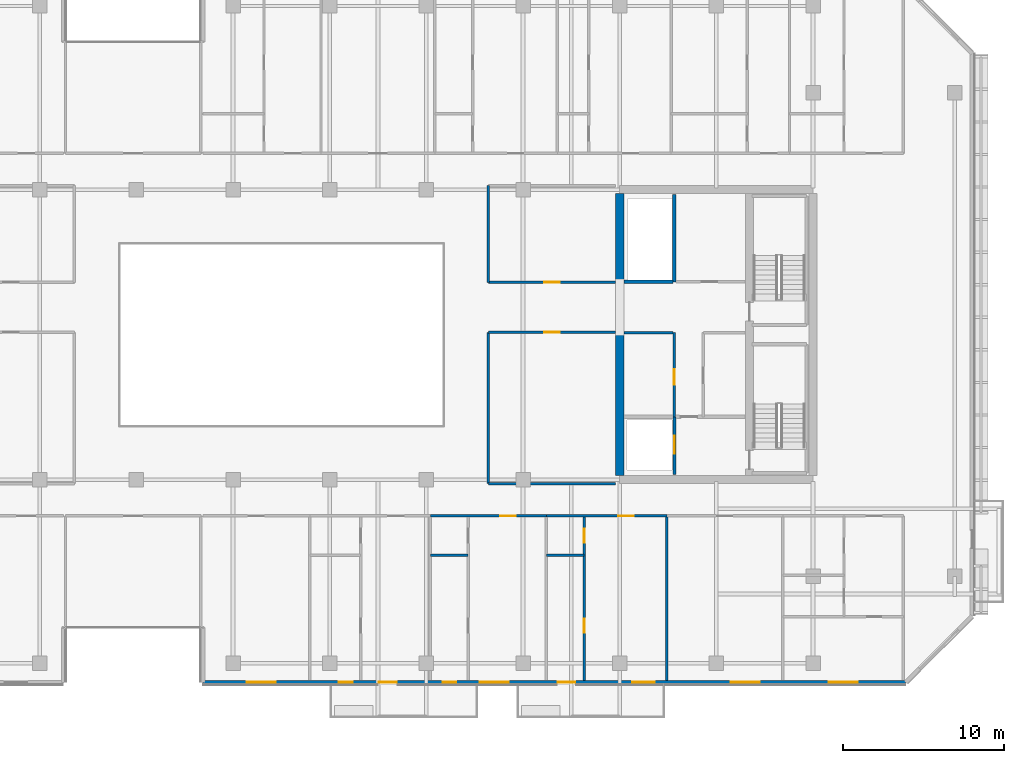
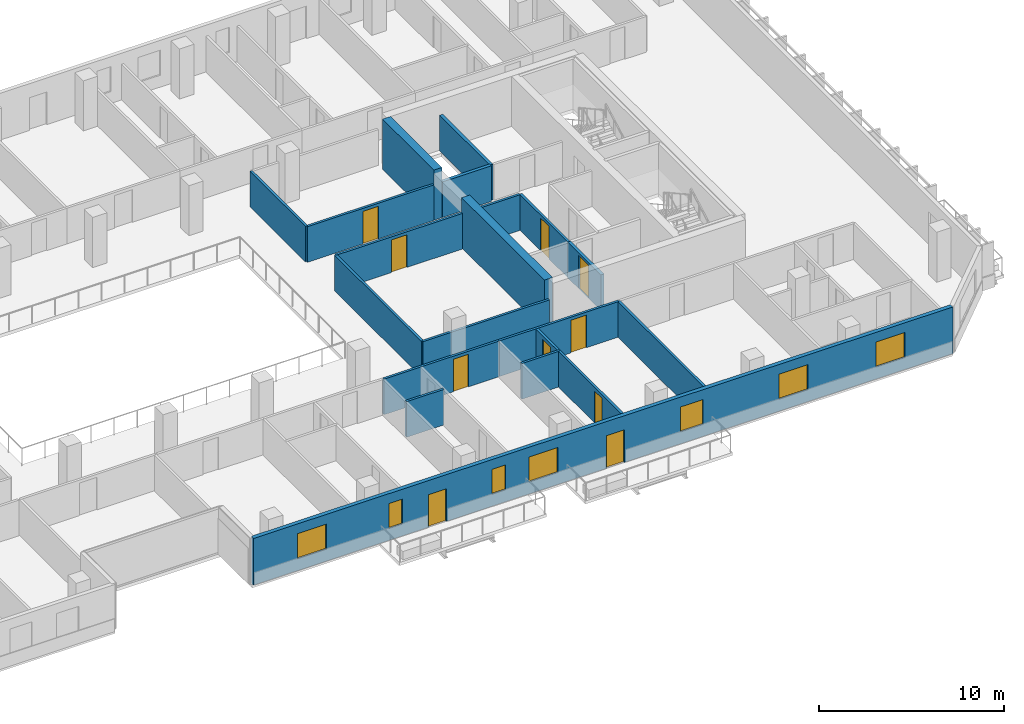
# One storey, part 11 of 19: 19 walls, 10 doors, 7 windows, 17 openings.
"""IFC4 building model written with IfcOpenShell, lengths in metres."""

from ifc_helpers import new_model, si_unit, direction, frame, frame_2d, origin, place, context, subcontext, project, spatial, rectangle, extrude, material, layer, layer_set, type_object, element, fill, save


model = new_model("IFC4")

# Units and contexts
model_context = context("Model", 3, precision=1e-05, world=origin(), true_north=direction((0.0, 1.0)))
body_context = subcontext(model_context, "Body", "Model", "MODEL_VIEW")
ifc_project = project(units=[si_unit("LENGTHUNIT", "METRE"), si_unit("AREAUNIT", "SQUARE_METRE"), si_unit("VOLUMEUNIT", "CUBIC_METRE"), si_unit("PLANEANGLEUNIT", "RADIAN"), si_unit("MASSUNIT", "GRAM", prefix="KILO")], contexts=[model_context])

# Site, building, storey
site_placement = place(None, origin())
site = spatial("IfcSite", under=ifc_project, at=site_placement, CompositionType="ELEMENT")
building_placement = place(site_placement, origin())
building = spatial("IfcBuilding", under=site, at=building_placement, Name="Tanjung Sevakor Pilgrim Tower", CompositionType="ELEMENT")
storey_placement = place(building_placement, frame((0.0, 0.0, 135.300048828125)))
storey = spatial("IfcBuildingStorey", under=building, at=storey_placement, Name="L37", CompositionType="ELEMENT", Elevation=135.300048828125)

# Walls
ifc_material_1 = material(Name="Concrete C60/75", Category="concrete")
ifc_layer_1 = layer(ifc_material_1, 0.5)
ifc_layer_set_1 = layer_set([ifc_layer_1], Name="WALL-CW-500")
wall_type_1 = type_object("IfcWallType", Name="WALL-CW-500", PredefinedType="SHEAR", material=ifc_layer_set_1)
wall_1_placement = place(storey_placement, frame((78.0, 24.85009765625, 0.0), z_axis=(0.0, 0.0, 1.0), x_axis=(0.0, 1.0, 0.0)))
element("IfcWall", 1, at=wall_1_placement, inside=storey, type_object=wall_type_1, Name="L37 E Core Inner Shear Wall South", PredefinedType="SHEAR", context=body_context, shape_type="SweptSolid", body=[
    extrude(rectangle(XDim=8.949951171875, YDim=0.5, at=frame_2d((4.47509765625, 0.0))), origin(), (0.0, 0.0, 1.0), 3.300048828125),
])
wall_2_placement = place(storey_placement, frame((78.0, 36.800048828125, 0.0), z_axis=(0.0, 0.0, 1.0), x_axis=(0.0, 1.0, 0.0)))
element("IfcWall", 2, at=wall_2_placement, inside=storey, type_object=wall_type_1, Name="L37 E Core Inner Shear Wall North", PredefinedType="SHEAR", context=body_context, shape_type="SweptSolid", body=[
    extrude(rectangle(XDim=5.550048828125, YDim=0.5, at=frame_2d((2.77490234375, 0.0))), origin(), (0.0, 0.0, 1.0), 3.300048828125),
])
ifc_material_2 = material(Name="Concrete C40/50", Category="concrete")
ifc_layer_2 = layer(ifc_material_2, 0.14990234375)
ifc_layer_set_2 = layer_set([ifc_layer_2], Name="WT-COMP-150")
wall_type_2 = type_object("IfcWallType", Name="WT-COMP-150", PredefinedType="SOLIDWALL", material=ifc_layer_set_2)
wall_3_placement = place(storey_placement, frame((78.27001953125, 33.719970703125, 0.0), z_axis=(0.0, 0.0, 1.0), x_axis=(1.0, 0.0, 0.0)))
element("IfcWall", 3, at=wall_3_placement, inside=storey, type_object=wall_type_2, Name="L37 Partition IW-L37-014", PredefinedType="SOLIDWALL", context=body_context, shape_type="SweptSolid", body=[
    extrude(rectangle(XDim=3.050048828125, YDim=0.14990234375, at=frame_2d((1.52490234375, 0.0))), origin(), (0.0, 0.0, 1.0), 2.35009765625),
])

# Wall, opening, door
wall_4_placement = place(storey_placement, frame((81.3798828125, 28.5, 0.0), z_axis=(0.0, 0.0, 1.0), x_axis=(0.0, 1.0, 0.0)))
wall_4 = element("IfcWall", 4, at=wall_4_placement, inside=storey, type_object=wall_type_2, Name="L37 Partition IW-L37-015", PredefinedType="SOLIDWALL", context=body_context, shape_type="SweptSolid", body=[
    extrude(rectangle(XDim=5.219970703125, YDim=0.14990234375, at=frame_2d((2.60986328125, 0.0))), origin(), (0.0, 0.0, 1.0), 2.35009765625),
])
opening_1_placement = place(wall_4_placement, frame((2.0, 0.0, 0.0)))
opening_1 = element("IfcOpeningElement", 5, at=opening_1_placement, cuts=wall_4, Name="Opening ID-FD2", PredefinedType="OPENING", context=body_context, shape_type="SweptSolid", body=[
    extrude(rectangle(XDim=0.949951171875, YDim=2.14990234375, at=frame_2d((0.47509765625, 1.074951171875))), frame((0.0, 0.0849609375, 0.0), z_axis=(0.0, -1.0, 0.0), x_axis=(1.0, 0.0, 0.0)), (0.0, 0.0, 1.0), 0.169921875),
])
ifc_material_3 = material(Name="Fire-Rated Timber", Category="wood")
door_type_1 = type_object("IfcDoorType", Name="DT-FIRE-950", OperationType="NOTDEFINED", PredefinedType="DOOR", material=ifc_material_3)
door_1_placement = place(opening_1_placement, origin())
door_1 = element("IfcDoor", 6, at=door_1_placement, inside=storey, type_object=door_type_1, Name="L37 Accessible WC Door", OperationType="SINGLE_SWING_RIGHT", OverallHeight=2.14990234375, OverallWidth=0.949951171875, PredefinedType="DOOR", context=body_context, shape_type="SweptSolid", body=[
    extrude(rectangle(XDim=0.949951171875, YDim=2.14990234375, at=frame_2d((0.47509765625, 1.074951171875))), frame((0.0, 0.02490234375, 0.0), z_axis=(0.0, -1.0, 0.0), x_axis=(1.0, 0.0, 0.0)), (0.0, 0.0, 1.0), 0.050048828125),
])
fill(opening_1, door_1)

# Wall
wall_5_placement = place(storey_placement, frame((69.85009765625, 24.35009765625, 0.0), z_axis=(0.0, 0.0, 1.0), x_axis=(1.0, 0.0, 0.0)))
element("IfcWall", 7, at=wall_5_placement, inside=storey, type_object=wall_type_2, Name="L37 Partition IW-L37-025", PredefinedType="SOLIDWALL", context=body_context, shape_type="SweptSolid", body=[
    extrude(rectangle(XDim=7.8798828125, YDim=0.14990234375, at=frame_2d((3.93994140625, 0.0))), origin(), (0.0, 0.0, 1.0), 2.35009765625),
])

# Wall, opening, door
wall_6_placement = place(storey_placement, frame((69.85009765625, 33.75, 0.0), z_axis=(0.0, 0.0, 1.0), x_axis=(1.0, 0.0, 0.0)))
wall_6 = element("IfcWall", 8, at=wall_6_placement, inside=storey, type_object=wall_type_2, Name="L37 Partition IW-L37-026", PredefinedType="SOLIDWALL", context=body_context, shape_type="SweptSolid", body=[
    extrude(rectangle(XDim=7.8798828125, YDim=0.14990234375, at=frame_2d((3.93994140625, 0.0))), origin(), (0.0, 0.0, 1.0), 2.35009765625),
])
opening_2_placement = place(wall_6_placement, frame((3.465087890625, 0.0, 0.0)))
opening_2 = element("IfcOpeningElement", 9, at=opening_2_placement, cuts=wall_6, Name="Opening ID-RM1", PredefinedType="OPENING", context=body_context, shape_type="SweptSolid", body=[
    extrude(rectangle(XDim=0.949951171875, YDim=2.14990234375, at=frame_2d((0.47509765625, 1.074951171875))), frame((0.0, 0.0849609375, 0.0), z_axis=(0.0, -1.0, 0.0), x_axis=(1.0, 0.0, 0.0)), (0.0, 0.0, 1.0), 0.169921875),
])
ifc_material_4 = material(Name="Hardwood Timber", Category="wood")
door_type_2 = type_object("IfcDoorType", Name="DT-INT-950", OperationType="NOTDEFINED", PredefinedType="DOOR", material=ifc_material_4)
door_2_placement = place(opening_2_placement, origin())
door_2 = element("IfcDoor", 10, at=door_2_placement, inside=storey, type_object=door_type_2, Name="L37 East Inboard South Door", OperationType="SINGLE_SWING_RIGHT", OverallHeight=2.14990234375, OverallWidth=0.949951171875, PredefinedType="DOOR", context=body_context, shape_type="SweptSolid", body=[
    extrude(rectangle(XDim=0.949951171875, YDim=2.14990234375, at=frame_2d((0.47509765625, 1.074951171875))), frame((0.0, 0.02490234375, 0.0), z_axis=(0.0, -1.0, 0.0), x_axis=(1.0, 0.0, 0.0)), (0.0, 0.0, 1.0), 0.050048828125),
])
fill(opening_2, door_2)

# Wall
wall_7_placement = place(storey_placement, frame((69.85009765625, 24.35009765625, 0.0), z_axis=(0.0, 0.0, 1.0), x_axis=(0.0, 1.0, 0.0)))
element("IfcWall", 11, at=wall_7_placement, inside=storey, type_object=wall_type_2, Name="L37 Partition IW-L37-027", PredefinedType="SOLIDWALL", context=body_context, shape_type="SweptSolid", body=[
    extrude(rectangle(XDim=9.39990234375, YDim=0.14990234375, at=frame_2d((4.699951171875, 0.0))), origin(), (0.0, 0.0, 1.0), 2.35009765625),
])

# Wall, opening, door
wall_8_placement = place(storey_placement, frame((69.85009765625, 36.85009765625, 0.0), z_axis=(0.0, 0.0, 1.0), x_axis=(1.0, 0.0, 0.0)))
wall_8 = element("IfcWall", 12, at=wall_8_placement, inside=storey, type_object=wall_type_2, Name="L37 Partition IW-L37-028", PredefinedType="SOLIDWALL", context=body_context, shape_type="SweptSolid", body=[
    extrude(rectangle(XDim=7.8798828125, YDim=0.14990234375, at=frame_2d((3.93994140625, 0.0))), origin(), (0.0, 0.0, 1.0), 2.35009765625),
])
opening_3_placement = place(wall_8_placement, frame((3.465087890625, 0.0, 0.0)))
opening_3 = element("IfcOpeningElement", 13, at=opening_3_placement, cuts=wall_8, Name="Opening ID-RM1", PredefinedType="OPENING", context=body_context, shape_type="SweptSolid", body=[
    extrude(rectangle(XDim=0.949951171875, YDim=2.14990234375, at=frame_2d((0.47509765625, 1.074951171875))), frame((0.0, 0.0849609375, 0.0), z_axis=(0.0, -1.0, 0.0), x_axis=(1.0, 0.0, 0.0)), (0.0, 0.0, 1.0), 0.169921875),
])
door_3_placement = place(opening_3_placement, origin())
door_3 = element("IfcDoor", 14, at=door_3_placement, inside=storey, type_object=door_type_2, Name="L37 East Inboard North Door", OperationType="SINGLE_SWING_LEFT", OverallHeight=2.14990234375, OverallWidth=0.949951171875, PredefinedType="DOOR", context=body_context, shape_type="SweptSolid", body=[
    extrude(rectangle(XDim=0.949951171875, YDim=2.14990234375, at=frame_2d((0.47509765625, 1.074951171875))), frame((0.0, 0.02490234375, 0.0), z_axis=(0.0, -1.0, 0.0), x_axis=(1.0, 0.0, 0.0)), (0.0, 0.0, 1.0), 0.050048828125),
])
fill(opening_3, door_3)

# Wall
wall_9_placement = place(storey_placement, frame((69.85009765625, 36.85009765625, 0.0), z_axis=(0.0, 0.0, 1.0), x_axis=(0.0, 1.0, 0.0)))
element("IfcWall", 15, at=wall_9_placement, inside=storey, type_object=wall_type_2, Name="L37 Partition IW-L37-030", PredefinedType="SOLIDWALL", context=body_context, shape_type="SweptSolid", body=[
    extrude(rectangle(XDim=6.0, YDim=0.14990234375, at=frame_2d((3.0, 0.0))), origin(), (0.0, 0.0, 1.0), 2.35009765625),
])

# Wall, opening, door
wall_10_placement = place(storey_placement, frame((66.244140625, 22.35009765625, 0.0), z_axis=(0.0, 0.0, 1.0), x_axis=(1.0, 0.0, 0.0)))
wall_10 = element("IfcWall", 16, at=wall_10_placement, inside=storey, type_object=wall_type_2, Name="L37 Partition IW-L37-057", PredefinedType="SOLIDWALL", context=body_context, shape_type="SweptSolid", body=[
    extrude(rectangle(XDim=7.200439453125, YDim=0.14990234375, at=frame_2d((3.60009765625, 0.0))), origin(), (0.0, 0.0, 1.0), 2.35009765625),
])
opening_4_placement = place(wall_10_placement, frame((4.34033203125, 0.0, 0.0)))
opening_4 = element("IfcOpeningElement", 17, at=opening_4_placement, cuts=wall_10, Name="Opening ID-FD2", PredefinedType="OPENING", context=body_context, shape_type="SweptSolid", body=[
    extrude(rectangle(XDim=0.949951171875, YDim=2.14990234375, at=frame_2d((0.47509765625, 1.074951171875))), frame((0.0, 0.0849609375, 0.0), z_axis=(0.0, -1.0, 0.0), x_axis=(1.0, 0.0, 0.0)), (0.0, 0.0, 1.0), 0.169921875),
])
door_4_placement = place(opening_4_placement, origin())
door_4 = element("IfcDoor", 18, at=door_4_placement, inside=storey, type_object=door_type_1, Name="Hostel Quad Entrance", OperationType="SINGLE_SWING_RIGHT", OverallHeight=2.14990234375, OverallWidth=0.949951171875, PredefinedType="DOOR", context=body_context, shape_type="SweptSolid", body=[
    extrude(rectangle(XDim=0.949951171875, YDim=2.14990234375, at=frame_2d((0.47509765625, 1.074951171875))), frame((0.0, 0.02490234375, 0.0), z_axis=(0.0, -1.0, 0.0), x_axis=(1.0, 0.0, 0.0)), (0.0, 0.0, 1.0), 0.050048828125),
])
fill(opening_4, door_4)

# Wall
wall_11_placement = place(storey_placement, frame((80.922119140625, 12.14990234375, 0.0), z_axis=(0.0, 0.0, 1.0), x_axis=(0.0, 1.0, 0.0)))
element("IfcWall", 19, at=wall_11_placement, inside=storey, type_object=wall_type_2, Name="L37 Partition IW-L37-058", PredefinedType="SOLIDWALL", context=body_context, shape_type="SweptSolid", body=[
    extrude(rectangle(XDim=10.2001953125, YDim=0.14990234375, at=frame_2d((5.10009765625, 0.0))), origin(), (0.0, 0.0, 1.0), 2.35009765625),
])

# Wall, opening, door
wall_12_placement = place(storey_placement, frame((73.444580078125, 22.35009765625, 0.0), z_axis=(0.0, 0.0, 1.0), x_axis=(1.0, 0.0, 0.0)))
wall_12 = element("IfcWall", 20, at=wall_12_placement, inside=storey, type_object=wall_type_2, Name="L37 Partition IW-L37-061", PredefinedType="SOLIDWALL", context=body_context, shape_type="SweptSolid", body=[
    extrude(rectangle(XDim=7.4775390625, YDim=0.14990234375, at=frame_2d((3.73876953125, 0.0))), origin(), (0.0, 0.0, 1.0), 2.35009765625),
])
opening_5_placement = place(wall_12_placement, frame((4.478759765625, 0.0, 0.0)))
opening_5 = element("IfcOpeningElement", 21, at=opening_5_placement, cuts=wall_12, Name="Opening ID-FD2", PredefinedType="OPENING", context=body_context, shape_type="SweptSolid", body=[
    extrude(rectangle(XDim=0.949951171875, YDim=2.14990234375, at=frame_2d((0.47509765625, 1.074951171875))), frame((0.0, 0.0849609375, 0.0), z_axis=(0.0, -1.0, 0.0), x_axis=(1.0, 0.0, 0.0)), (0.0, 0.0, 1.0), 0.169921875),
])
door_5_placement = place(opening_5_placement, origin())
door_5 = element("IfcDoor", 22, at=door_5_placement, inside=storey, type_object=door_type_1, Name="Hostel Quad Entrance", OperationType="SINGLE_SWING_LEFT", OverallHeight=2.14990234375, OverallWidth=0.949951171875, PredefinedType="DOOR", context=body_context, shape_type="SweptSolid", body=[
    extrude(rectangle(XDim=0.949951171875, YDim=2.14990234375, at=frame_2d((0.47509765625, 1.074951171875))), frame((0.0, 0.02490234375, 0.0), z_axis=(0.0, -1.0, 0.0), x_axis=(1.0, 0.0, 0.0)), (0.0, 0.0, 1.0), 0.050048828125),
])
fill(opening_5, door_5)

# Wall, openings, doors, windows
ifc_material_5 = material(Name="Precast concrete C45/55", Category="concrete")
ifc_layer_3 = layer(ifc_material_5, 0.25)
ifc_layer_set_3 = layer_set([ifc_layer_3], Name="WT-EW-STN3")
wall_type_3 = type_object("IfcWallType", Name="WT-EW-STN3", PredefinedType="SOLIDWALL", material=ifc_layer_set_3)
wall_13_placement = place(storey_placement, frame((52.125, 12.02490234375, 0.0), z_axis=(0.0, 0.0, 1.0), x_axis=(1.0, 0.0, 0.0)))
wall_13 = element("IfcWall", 23, at=wall_13_placement, inside=storey, type_object=wall_type_3, Name="L37 MAIN Exterior Wall 5", PredefinedType="SOLIDWALL", context=body_context, shape_type="SweptSolid", body=[
    extrude(rectangle(XDim=43.623291015625, YDim=0.25, at=frame_2d((21.8115234375, 0.0))), origin(), (0.0, 0.0, 1.0), 3.080078125),
])
opening_6_placement = place(wall_13_placement, frame((10.925048828125, 0.0, 0.0)))
opening_6 = element("IfcOpeningElement", 24, at=opening_6_placement, cuts=wall_13, Name="Opening ED-BAL-1100", PredefinedType="OPENING", context=body_context, shape_type="SweptSolid", body=[
    extrude(rectangle(XDim=1.10009765625, YDim=2.14990234375, at=frame_2d((0.550048828125, 1.074951171875))), frame((0.0, 0.135009765625, 0.0), z_axis=(0.0, -1.0, 0.0), x_axis=(1.0, 0.0, 0.0)), (0.0, 0.0, 1.0), 0.27001953125),
])
opening_7_placement = place(wall_13_placement, frame((22.02490234375, 0.0, 0.0)))
opening_7 = element("IfcOpeningElement", 25, at=opening_7_placement, cuts=wall_13, Name="Opening ED-BAL-1100", PredefinedType="OPENING", context=body_context, shape_type="SweptSolid", body=[
    extrude(rectangle(XDim=1.10009765625, YDim=2.14990234375, at=frame_2d((0.550048828125, 1.074951171875))), frame((0.0, 0.135009765625, 0.0), z_axis=(0.0, -1.0, 0.0), x_axis=(1.0, 0.0, 0.0)), (0.0, 0.0, 1.0), 0.27001953125),
])
opening_8_placement = place(wall_13_placement, frame((2.73828125, 0.0, 0.780029296875)))
opening_8 = element("IfcOpeningElement", 26, at=opening_8_placement, cuts=wall_13, Name="Opening WN-Z3-1660", PredefinedType="OPENING", context=body_context, shape_type="SweptSolid", body=[
    extrude(rectangle(XDim=1.800048828125, YDim=1.659912109375, at=frame_2d((0.89990234375, 0.830078125))), frame((0.0, 0.135009765625, 0.0), z_axis=(0.0, -1.0, 0.0), x_axis=(1.0, 0.0, 0.0)), (0.0, 0.0, 1.0), 0.27001953125),
])
opening_9_placement = place(wall_13_placement, frame((8.443359375, 0.0, 0.780029296875)))
opening_9 = element("IfcOpeningElement", 27, at=opening_9_placement, cuts=wall_13, Name="Opening WN-SLM", PredefinedType="OPENING", context=body_context, shape_type="SweptSolid", body=[
    extrude(rectangle(XDim=0.85009765625, YDim=1.64990234375, at=frame_2d((0.425048828125, 0.824951171875))), frame((0.0, 0.135009765625, 0.0), z_axis=(0.0, -1.0, 0.0), x_axis=(1.0, 0.0, 0.0)), (0.0, 0.0, 1.0), 0.27001953125),
])
opening_10_placement = place(wall_13_placement, frame((14.879150390625, 0.0, 0.780029296875)))
opening_10 = element("IfcOpeningElement", 28, at=opening_10_placement, cuts=wall_13, Name="Opening WN-SLM", PredefinedType="OPENING", context=body_context, shape_type="SweptSolid", body=[
    extrude(rectangle(XDim=0.85009765625, YDim=1.64990234375, at=frame_2d((0.425048828125, 0.824951171875))), frame((0.0, 0.135009765625, 0.0), z_axis=(0.0, -1.0, 0.0), x_axis=(1.0, 0.0, 0.0)), (0.0, 0.0, 1.0), 0.27001953125),
])
opening_11_placement = place(wall_13_placement, frame((17.184326171875, 0.0, 0.780029296875)))
opening_11 = element("IfcOpeningElement", 29, at=opening_11_placement, cuts=wall_13, Name="Opening WN-Z3-1660", PredefinedType="OPENING", context=body_context, shape_type="SweptSolid", body=[
    extrude(rectangle(XDim=1.800048828125, YDim=1.659912109375, at=frame_2d((0.89990234375, 0.830078125))), frame((0.0, 0.135009765625, 0.0), z_axis=(0.0, -1.0, 0.0), x_axis=(1.0, 0.0, 0.0)), (0.0, 0.0, 1.0), 0.27001953125),
])
opening_12_placement = place(wall_13_placement, frame((26.643310546875, 0.0, 0.780029296875)))
opening_12 = element("IfcOpeningElement", 30, at=opening_12_placement, cuts=wall_13, Name="Opening WN-END", PredefinedType="OPENING", context=body_context, shape_type="SweptSolid", body=[
    extrude(rectangle(XDim=1.39990234375, YDim=1.64990234375, at=frame_2d((0.699951171875, 0.824951171875))), frame((0.0, 0.135009765625, 0.0), z_axis=(0.0, -1.0, 0.0), x_axis=(1.0, 0.0, 0.0)), (0.0, 0.0, 1.0), 0.27001953125),
])
opening_13_placement = place(wall_13_placement, frame((32.77734375, 0.0, 0.780029296875)))
opening_13 = element("IfcOpeningElement", 31, at=opening_13_placement, cuts=wall_13, Name="Opening WN-Z3-1660", PredefinedType="OPENING", context=body_context, shape_type="SweptSolid", body=[
    extrude(rectangle(XDim=1.800048828125, YDim=1.659912109375, at=frame_2d((0.89990234375, 0.830078125))), frame((0.0, 0.135009765625, 0.0), z_axis=(0.0, -1.0, 0.0), x_axis=(1.0, 0.0, 0.0)), (0.0, 0.0, 1.0), 0.27001953125),
])
opening_14_placement = place(wall_13_placement, frame((38.836181640625, 0.0, 0.780029296875)))
opening_14 = element("IfcOpeningElement", 32, at=opening_14_placement, cuts=wall_13, Name="Opening WN-Z3-1660", PredefinedType="OPENING", context=body_context, shape_type="SweptSolid", body=[
    extrude(rectangle(XDim=1.800048828125, YDim=1.659912109375, at=frame_2d((0.89990234375, 0.830078125))), frame((0.0, 0.135009765625, 0.0), z_axis=(0.0, -1.0, 0.0), x_axis=(1.0, 0.0, 0.0)), (0.0, 0.0, 1.0), 0.27001953125),
])
ifc_material_6 = material(Name="Anodised Aluminium and Laminated Glass", Category="aluminium")
door_type_3 = type_object("IfcDoorType", Name="DTYP-ED-BAL-1100", OperationType="NOTDEFINED", PredefinedType="DOOR", material=ifc_material_6)
door_6_placement = place(opening_6_placement, frame((1.10009765625, 0.0, 0.0), z_axis=(0.0, 0.0, 1.0), x_axis=(-1.0, 0.0, 0.0)))
door_6 = element("IfcDoor", 33, at=door_6_placement, inside=storey, type_object=door_type_3, Name="L37 Balcony Door MAIN-S2", OperationType="SINGLE_SWING_LEFT", OverallHeight=2.14990234375, OverallWidth=1.10009765625, PredefinedType="DOOR", context=body_context, shape_type="SweptSolid", body=[
    extrude(rectangle(XDim=1.10009765625, YDim=2.14990234375, at=frame_2d((0.550048828125, 1.074951171875))), frame((0.0, 0.02490234375, 0.0), z_axis=(0.0, -1.0, 0.0), x_axis=(1.0, 0.0, 0.0)), (0.0, 0.0, 1.0), 0.050048828125),
])
fill(opening_6, door_6)
door_7_placement = place(opening_7_placement, frame((1.10009765625, 0.0, 0.0), z_axis=(0.0, 0.0, 1.0), x_axis=(-1.0, 0.0, 0.0)))
door_7 = element("IfcDoor", 34, at=door_7_placement, inside=storey, type_object=door_type_3, Name="L37 Balcony Door MAIN-S3", OperationType="SINGLE_SWING_RIGHT", OverallHeight=2.14990234375, OverallWidth=1.10009765625, PredefinedType="DOOR", context=body_context, shape_type="SweptSolid", body=[
    extrude(rectangle(XDim=1.10009765625, YDim=2.14990234375, at=frame_2d((0.550048828125, 1.074951171875))), frame((0.0, 0.02490234375, 0.0), z_axis=(0.0, -1.0, 0.0), x_axis=(1.0, 0.0, 0.0)), (0.0, 0.0, 1.0), 0.050048828125),
])
fill(opening_7, door_7)
ifc_material_7 = material(Name="Thermally Broken Aluminium and Low-E Glass", Category="aluminium")
window_type_1 = type_object("IfcWindowType", Name="WTYP-WN-END", PartitioningType="SINGLE_PANEL", PredefinedType="WINDOW", material=ifc_material_7)
window_1_placement = place(opening_12_placement, origin())
window_1 = element("IfcWindow", 35, at=window_1_placement, inside=storey, type_object=window_type_1, Name="L37 Facade Window 05", OverallHeight=1.64990234375, OverallWidth=1.39990234375, PartitioningType="SINGLE_PANEL", PredefinedType="WINDOW", context=body_context, shape_type="SweptSolid", body=[
    extrude(rectangle(XDim=1.39990234375, YDim=1.64990234375, at=frame_2d((0.699951171875, 0.824951171875))), frame((0.0, 0.030029296875, 0.0), z_axis=(0.0, -1.0, 0.0), x_axis=(1.0, 0.0, 0.0)), (0.0, 0.0, 1.0), 0.06005859375),
])
fill(opening_12, window_1)
ifc_material_8 = material(Name="Thermally Broken Aluminium and Low-E Glass", Category="aluminium")
window_type_2 = type_object("IfcWindowType", Name="WTYP-WN-SLM", PartitioningType="SINGLE_PANEL", PredefinedType="WINDOW", material=ifc_material_8)
window_2_placement = place(opening_9_placement, origin())
window_2 = element("IfcWindow", 36, at=window_2_placement, inside=storey, type_object=window_type_2, Name="L37 Facade Window 02", OverallHeight=1.64990234375, OverallWidth=0.85009765625, PartitioningType="SINGLE_PANEL", PredefinedType="WINDOW", context=body_context, shape_type="SweptSolid", body=[
    extrude(rectangle(XDim=0.85009765625, YDim=1.64990234375, at=frame_2d((0.425048828125, 0.824951171875))), frame((0.0, 0.030029296875, 0.0), z_axis=(0.0, -1.0, 0.0), x_axis=(1.0, 0.0, 0.0)), (0.0, 0.0, 1.0), 0.06005859375),
])
fill(opening_9, window_2)
window_3_placement = place(opening_10_placement, origin())
window_3 = element("IfcWindow", 37, at=window_3_placement, inside=storey, type_object=window_type_2, Name="L37 Facade Window 03", OverallHeight=1.64990234375, OverallWidth=0.85009765625, PartitioningType="SINGLE_PANEL", PredefinedType="WINDOW", context=body_context, shape_type="SweptSolid", body=[
    extrude(rectangle(XDim=0.85009765625, YDim=1.64990234375, at=frame_2d((0.425048828125, 0.824951171875))), frame((0.0, 0.030029296875, 0.0), z_axis=(0.0, -1.0, 0.0), x_axis=(1.0, 0.0, 0.0)), (0.0, 0.0, 1.0), 0.06005859375),
])
fill(opening_10, window_3)
ifc_material_9 = material(Name="Thermally Broken Aluminium and Low-E Glass", Category="aluminium")
window_type_3 = type_object("IfcWindowType", Name="WTYP-WN-Z3-1660", PartitioningType="DOUBLE_PANEL_VERTICAL", PredefinedType="WINDOW", material=ifc_material_9)
window_4_placement = place(opening_8_placement, origin())
window_4 = element("IfcWindow", 38, at=window_4_placement, inside=storey, type_object=window_type_3, Name="L37 Facade Window 01", OverallHeight=1.659912109375, OverallWidth=1.800048828125, PartitioningType="SINGLE_PANEL", PredefinedType="WINDOW", context=body_context, shape_type="SweptSolid", body=[
    extrude(rectangle(XDim=1.800048828125, YDim=1.659912109375, at=frame_2d((0.89990234375, 0.830078125))), frame((0.0, 0.030029296875, 0.0), z_axis=(0.0, -1.0, 0.0), x_axis=(1.0, 0.0, 0.0)), (0.0, 0.0, 1.0), 0.06005859375),
])
fill(opening_8, window_4)
window_5_placement = place(opening_11_placement, origin())
window_5 = element("IfcWindow", 39, at=window_5_placement, inside=storey, type_object=window_type_3, Name="L37 Facade Window 04", OverallHeight=1.659912109375, OverallWidth=1.800048828125, PartitioningType="SINGLE_PANEL", PredefinedType="WINDOW", context=body_context, shape_type="SweptSolid", body=[
    extrude(rectangle(XDim=1.800048828125, YDim=1.659912109375, at=frame_2d((0.89990234375, 0.830078125))), frame((0.0, 0.030029296875, 0.0), z_axis=(0.0, -1.0, 0.0), x_axis=(1.0, 0.0, 0.0)), (0.0, 0.0, 1.0), 0.06005859375),
])
fill(opening_11, window_5)
window_6_placement = place(opening_13_placement, origin())
window_6 = element("IfcWindow", 40, at=window_6_placement, inside=storey, type_object=window_type_3, Name="L37 Facade Window 06", OverallHeight=1.659912109375, OverallWidth=1.800048828125, PartitioningType="SINGLE_PANEL", PredefinedType="WINDOW", context=body_context, shape_type="SweptSolid", body=[
    extrude(rectangle(XDim=1.800048828125, YDim=1.659912109375, at=frame_2d((0.89990234375, 0.830078125))), frame((0.0, 0.030029296875, 0.0), z_axis=(0.0, -1.0, 0.0), x_axis=(1.0, 0.0, 0.0)), (0.0, 0.0, 1.0), 0.06005859375),
])
fill(opening_13, window_6)
window_7_placement = place(opening_14_placement, origin())
window_7 = element("IfcWindow", 41, at=window_7_placement, inside=storey, type_object=window_type_3, Name="L37 Facade Window 07", OverallHeight=1.659912109375, OverallWidth=1.800048828125, PartitioningType="SINGLE_PANEL", PredefinedType="WINDOW", context=body_context, shape_type="SweptSolid", body=[
    extrude(rectangle(XDim=1.800048828125, YDim=1.659912109375, at=frame_2d((0.89990234375, 0.830078125))), frame((0.0, 0.030029296875, 0.0), z_axis=(0.0, -1.0, 0.0), x_axis=(1.0, 0.0, 0.0)), (0.0, 0.0, 1.0), 0.06005859375),
])
fill(opening_14, window_7)

# Wall, opening, door
ifc_material_10 = material(Name="Concrete C40/50", Category="concrete")
ifc_layer_4 = layer(ifc_material_10, 0.199951171875)
ifc_layer_set_4 = layer_set([ifc_layer_4], Name="WT-FPRT-200")
wall_type_4 = type_object("IfcWallType", Name="WT-FPRT-200", PredefinedType="SOLIDWALL", material=ifc_layer_set_4)
wall_14_placement = place(storey_placement, frame((81.39990234375, 24.919921875, 0.0), z_axis=(0.0, 0.0, 1.0), x_axis=(0.0, 1.0, 0.0)))
wall_14 = element("IfcWall", 42, at=wall_14_placement, inside=storey, type_object=wall_type_4, Name="L37 Partition IW-L37-010", PredefinedType="SOLIDWALL", context=body_context, shape_type="SweptSolid", body=[
    extrude(rectangle(XDim=3.580078125, YDim=0.199951171875, at=frame_2d((1.7900390625, 0.0))), origin(), (0.0, 0.0, 1.0), 2.35009765625),
])
opening_15_placement = place(wall_14_placement, frame((1.300048828125, 0.0, 0.0)))
opening_15 = element("IfcOpeningElement", 43, at=opening_15_placement, cuts=wall_14, Name="Opening LD-1100", PredefinedType="OPENING", context=body_context, shape_type="SweptSolid", body=[
    extrude(rectangle(XDim=1.10009765625, YDim=2.199951171875, at=frame_2d((0.550048828125, 1.10009765625))), frame((0.0, 0.10986328125, 0.0), z_axis=(0.0, -1.0, 0.0), x_axis=(1.0, 0.0, 0.0)), (0.0, 0.0, 1.0), 0.219970703125),
])
ifc_material_11 = material(Name="Brushed Stainless Steel S355J2", Category="steel")
door_type_4 = type_object("IfcDoorType", Name="DT-LIFT-1100", OperationType="SLIDING_TO_LEFT", PredefinedType="DOOR", material=ifc_material_11)
door_8_placement = place(opening_15_placement, origin())
door_8 = element("IfcDoor", 44, at=door_8_placement, inside=storey, type_object=door_type_4, Name="LD-FL-E", OperationType="SLIDING_TO_LEFT", OverallHeight=2.199951171875, OverallWidth=1.10009765625, PredefinedType="DOOR", context=body_context, shape_type="SweptSolid", body=[
    extrude(rectangle(XDim=1.10009765625, YDim=2.199951171875, at=frame_2d((0.550048828125, 1.10009765625))), frame((0.0, 0.02490234375, 0.0), z_axis=(0.0, -1.0, 0.0), x_axis=(1.0, 0.0, 0.0)), (0.0, 0.0, 1.0), 0.050048828125),
])
fill(opening_15, door_8)

# Walls
wall_15_placement = place(storey_placement, frame((78.27001953125, 36.8798828125, 0.0), z_axis=(0.0, 0.0, 1.0), x_axis=(1.0, 0.0, 0.0)))
element("IfcWall", 45, at=wall_15_placement, inside=storey, type_object=wall_type_4, Name="L37 Partition IW-L37-017", PredefinedType="SOLIDWALL", context=body_context, shape_type="SweptSolid", body=[
    extrude(rectangle(XDim=3.050048828125, YDim=0.199951171875, at=frame_2d((1.52490234375, 0.0))), origin(), (0.0, 0.0, 1.0), 2.35009765625),
])
wall_16_placement = place(storey_placement, frame((81.3798828125, 36.8798828125, 0.0), z_axis=(0.0, 0.0, 1.0), x_axis=(0.0, 1.0, 0.0)))
element("IfcWall", 46, at=wall_16_placement, inside=storey, type_object=wall_type_4, Name="L37 Partition IW-L37-018", PredefinedType="SOLIDWALL", context=body_context, shape_type="SweptSolid", body=[
    extrude(rectangle(XDim=5.420166015625, YDim=0.199951171875, at=frame_2d((2.7099609375, 0.0))), origin(), (0.0, 0.0, 1.0), 2.35009765625),
])
ifc_material_12 = material(Name="Gypsum Board Partition", Category="gypsum board")
ifc_layer_5 = layer(ifc_material_12, 0.14990234375)
ifc_layer_set_5 = layer_set([ifc_layer_5], Name="WT-PART-150")
wall_type_5 = type_object("IfcWallType", Name="WT-PART-150", PredefinedType="PARTITIONING", material=ifc_layer_set_5)
wall_17_placement = place(storey_placement, frame((66.244140625, 19.89990234375, 0.0), z_axis=(0.0, 0.0, 1.0), x_axis=(1.0, 0.0, 0.0)))
element("IfcWall", 47, at=wall_17_placement, inside=storey, type_object=wall_type_5, Name="L37 Partition IW-L37-055", PredefinedType="PARTITIONING", context=body_context, shape_type="SweptSolid", body=[
    extrude(rectangle(XDim=2.349853515625, YDim=0.14990234375, at=frame_2d((1.1748046875, 0.0))), origin(), (0.0, 0.0, 1.0), 2.35009765625),
])
wall_18_placement = place(storey_placement, frame((73.444580078125, 19.89990234375, 0.0), z_axis=(0.0, 0.0, 1.0), x_axis=(1.0, 0.0, 0.0)))
element("IfcWall", 48, at=wall_18_placement, inside=storey, type_object=wall_type_5, Name="L37 Partition IW-L37-059", PredefinedType="PARTITIONING", context=body_context, shape_type="SweptSolid", body=[
    extrude(rectangle(XDim=2.35009765625, YDim=0.14990234375, at=frame_2d((1.175048828125, 0.0))), origin(), (0.0, 0.0, 1.0), 2.35009765625),
])

# Wall, openings, doors
wall_19_placement = place(storey_placement, frame((75.794677734375, 12.14990234375, 0.0), z_axis=(0.0, 0.0, 1.0), x_axis=(0.0, 1.0, 0.0)))
wall_19 = element("IfcWall", 49, at=wall_19_placement, inside=storey, type_object=wall_type_5, Name="L37 Partition IW-L37-060", PredefinedType="PARTITIONING", context=body_context, shape_type="SweptSolid", body=[
    extrude(rectangle(XDim=10.2001953125, YDim=0.14990234375, at=frame_2d((5.10009765625, 0.0))), origin(), (0.0, 0.0, 1.0), 2.35009765625),
])
opening_16_placement = place(wall_19_placement, frame((2.9599609375, 0.0, 0.0)))
opening_16 = element("IfcOpeningElement", 50, at=opening_16_placement, cuts=wall_19, Name="Opening ID-WC1", PredefinedType="OPENING", context=body_context, shape_type="SweptSolid", body=[
    extrude(rectangle(XDim=0.85009765625, YDim=2.10009765625, at=frame_2d((0.425048828125, 1.050048828125))), frame((0.0, 0.0849609375, 0.0), z_axis=(0.0, -1.0, 0.0), x_axis=(1.0, 0.0, 0.0)), (0.0, 0.0, 1.0), 0.169921875),
])
opening_17_placement = place(wall_19_placement, frame((8.550048828125, 0.0, 0.0)))
opening_17 = element("IfcOpeningElement", 51, at=opening_17_placement, cuts=wall_19, Name="Opening ID-WC1", PredefinedType="OPENING", context=body_context, shape_type="SweptSolid", body=[
    extrude(rectangle(XDim=0.85009765625, YDim=2.10009765625, at=frame_2d((0.425048828125, 1.050048828125))), frame((0.0, 0.0849609375, 0.0), z_axis=(0.0, -1.0, 0.0), x_axis=(1.0, 0.0, 0.0)), (0.0, 0.0, 1.0), 0.169921875),
])
ifc_material_13 = material(Name="Moisture-Resistant Timber", Category="wood")
door_type_5 = type_object("IfcDoorType", Name="DT-INT-850", OperationType="NOTDEFINED", PredefinedType="DOOR", material=ifc_material_13)
door_9_placement = place(opening_16_placement, origin())
door_9 = element("IfcDoor", 52, at=door_9_placement, inside=storey, type_object=door_type_5, Name="Study Nook Door", OperationType="SINGLE_SWING_LEFT", OverallHeight=2.10009765625, OverallWidth=0.85009765625, PredefinedType="DOOR", context=body_context, shape_type="SweptSolid", body=[
    extrude(rectangle(XDim=0.85009765625, YDim=2.10009765625, at=frame_2d((0.425048828125, 1.050048828125))), frame((0.0, 0.02490234375, 0.0), z_axis=(0.0, -1.0, 0.0), x_axis=(1.0, 0.0, 0.0)), (0.0, 0.0, 1.0), 0.050048828125),
])
fill(opening_16, door_9)
door_10_placement = place(opening_17_placement, origin())
door_10 = element("IfcDoor", 53, at=door_10_placement, inside=storey, type_object=door_type_5, Name="Bathroom Door", OperationType="SINGLE_SWING_RIGHT", OverallHeight=2.10009765625, OverallWidth=0.85009765625, PredefinedType="DOOR", context=body_context, shape_type="SweptSolid", body=[
    extrude(rectangle(XDim=0.85009765625, YDim=2.10009765625, at=frame_2d((0.425048828125, 1.050048828125))), frame((0.0, 0.02490234375, 0.0), z_axis=(0.0, -1.0, 0.0), x_axis=(1.0, 0.0, 0.0)), (0.0, 0.0, 1.0), 0.050048828125),
])
fill(opening_17, door_10)

save(model, "model.ifc")
